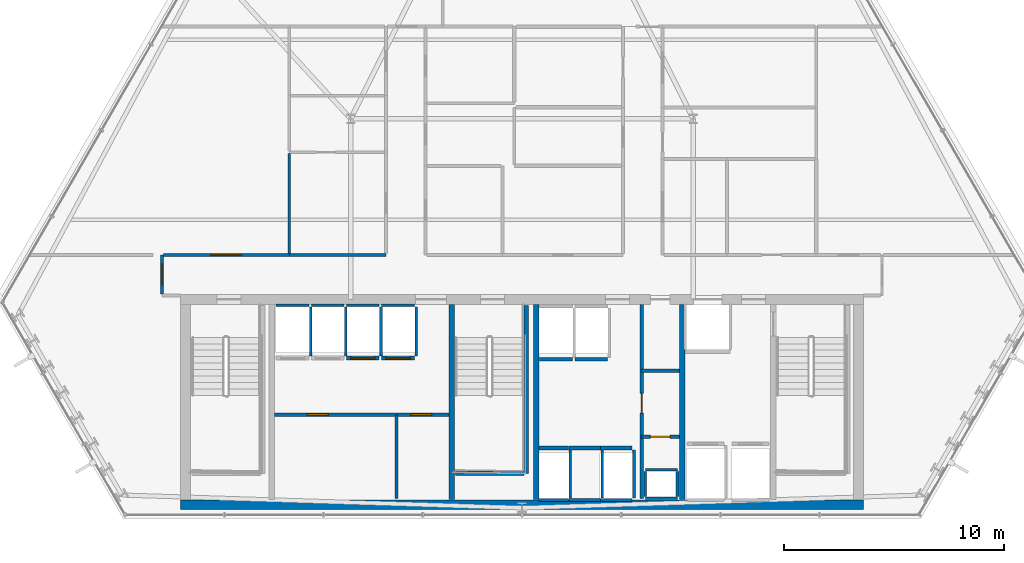
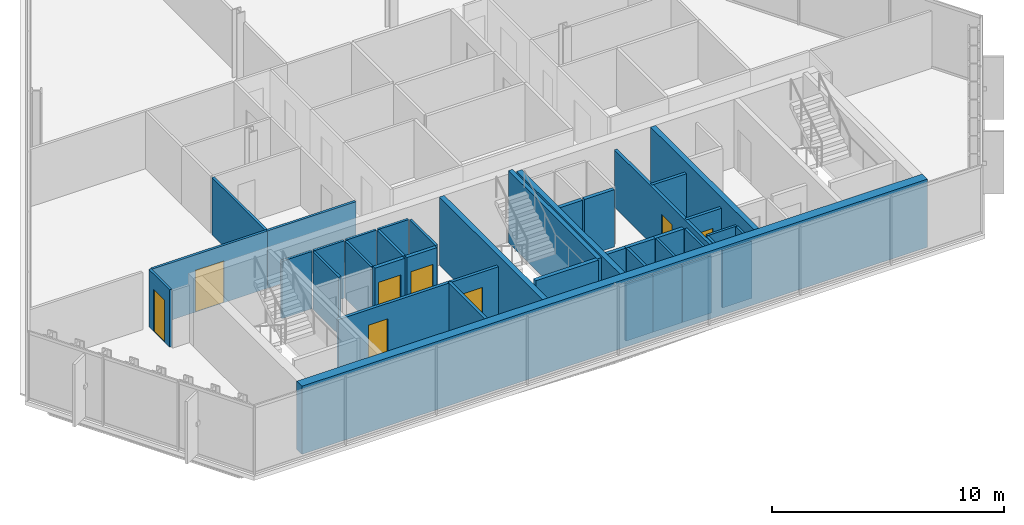
# One storey, part 26 of 33: 40 walls, 8 doors, 8 openings.
"""IFC4 building model written with IfcOpenShell, lengths in metres."""

import ifcopenshell
import ifcopenshell.guid

model = None  # the IFC model being written
_history = None  # IfcOwnerHistory: only IFC2X3 demands one
_inside = {}  # id of a spatial element -> (the spatial element, [elements in it])
_under = {}  # id of a project, library or spatial element -> (it, [spatial elements below it])
_declared = {}  # id of a project -> (the project, [libraries it declares])
_typed = {}  # id of a type object -> (the type object, [elements of that type])
_made_of = {}  # id of a material, layer set ... -> (it, [elements and type objects made of it])


def new_model(schema):
    """Start an empty IFC model of exactly this schema.

    Asked for "IFC4X3", IfcOpenShell would pick the latest addendum, in which some entities
    have other attributes; the version numbers below select the first issue.
    IFC2X3 requires an IfcOwnerHistory on every rooted entity: one is made here for all.
    """
    global model, _history
    if schema == "IFC4X3":
        model = ifcopenshell.file(schema_version=(4, 3, 0, 0))
    else:
        model = ifcopenshell.file(schema=schema)
    _inside.clear()
    _under.clear()
    _declared.clear()
    _typed.clear()
    _made_of.clear()
    _history = None
    if model.schema == "IFC2X3":
        org = make("IfcOrganization", Name="unknown")
        user = make(
            "IfcPersonAndOrganization",
            ThePerson=make("IfcPerson", FamilyName="unknown"),
            TheOrganization=org,
        )
        app = make(
            "IfcApplication",
            ApplicationDeveloper=org,
            Version="unknown",
            ApplicationFullName="unknown",
            ApplicationIdentifier="unknown",
        )
        _history = make(
            "IfcOwnerHistory",
            OwningUser=user,
            OwningApplication=app,
            ChangeAction="ADDED",
            CreationDate=0,
        )
    return model


def make(cls, **values):
    """One entity of the class cls with the attributes given. An attribute that is None is left unset."""
    return model.create_entity(
        cls, **{name: value for name, value in values.items() if value is not None}
    )


def rooted(cls, **values):
    """An entity with a GlobalId (a new one), such as an element, a storey or a relation."""
    return make(cls, GlobalId=ifcopenshell.guid.new(), OwnerHistory=_history, **values)


def si_unit(unit_type, name, prefix=None):
    """IfcSIUnit, for example si_unit("LENGTHUNIT", "METRE", prefix="MILLI")."""
    return make("IfcSIUnit", UnitType=unit_type, Prefix=prefix, Name=name)


def assignment(units):
    """IfcUnitAssignment: the units of a project."""
    return None if units is None else make("IfcUnitAssignment", Units=units)


def point(xyz):
    """IfcCartesianPoint."""
    return None if xyz is None else make("IfcCartesianPoint", Coordinates=xyz)


def direction(xyz):
    """IfcDirection."""
    return None if xyz is None else make("IfcDirection", DirectionRatios=xyz)


def frame(location, z_axis=None, x_axis=None):
    """IfcAxis2Placement3D, a coordinate frame: its origin and axes. An axis left out is left unset."""
    return make(
        "IfcAxis2Placement3D",
        Location=point(location),
        Axis=direction(z_axis),
        RefDirection=direction(x_axis),
    )


def frame_2d(location, x_axis=None):
    """IfcAxis2Placement2D, a coordinate frame in the plane: its origin and x axis."""
    return make(
        "IfcAxis2Placement2D", Location=point(location), RefDirection=direction(x_axis)
    )


def origin():
    """The frame at (0, 0, 0) with its axes left unset."""
    return frame((0.0, 0.0, 0.0))


def place(relative_to, where):
    """IfcLocalPlacement: puts the frame where relative to a parent placement (None: the world)."""
    return make(
        "IfcLocalPlacement", PlacementRelTo=relative_to, RelativePlacement=where
    )


def context(
    kind, dimensions, precision=None, world=None, true_north=None, identifier=None
):
    """IfcGeometricRepresentationContext, for example the 3D "Model" context."""
    return make(
        "IfcGeometricRepresentationContext",
        ContextIdentifier=identifier,
        ContextType=kind,
        CoordinateSpaceDimension=dimensions,
        Precision=precision,
        WorldCoordinateSystem=world,
        TrueNorth=true_north,
    )


def subcontext(parent, identifier, kind, view, scale=None):
    """IfcGeometricRepresentationSubContext, for example "Body" below "Model"."""
    return make(
        "IfcGeometricRepresentationSubContext",
        ContextIdentifier=identifier,
        ContextType=kind,
        ParentContext=parent,
        TargetScale=scale,
        TargetView=view,
    )


def project(units=None, contexts=None):
    """IfcProject with its units and contexts."""
    return rooted(
        "IfcProject",
        Name="project",
        RepresentationContexts=contexts,
        UnitsInContext=assignment(units),
    )


def spatial(cls, under=None, at=None, **own):
    """A site, building, storey or space (cls), placed at a placement, below another one or the project."""
    s = rooted(cls, ObjectPlacement=at, **own)
    if under is not None:
        _under.setdefault(under.id(), (under, []))[1].append(s)
    return s


def profile(cls, at=None, kind="AREA", **sizes):
    """A parametric profile (cls). Its sizes go by their IFC names, for example OverallWidth=200.0."""
    return make(cls, ProfileType=kind, Position=at, **sizes)


def rectangle(**sizes):
    """IfcRectangleProfileDef."""
    return profile("IfcRectangleProfileDef", **sizes)


def extrude(swept, where, along, depth):
    """IfcExtrudedAreaSolid: the profile swept, set in the frame where, extruded along a direction by depth."""
    return make(
        "IfcExtrudedAreaSolid",
        SweptArea=swept,
        Position=where,
        ExtrudedDirection=direction(along),
        Depth=depth,
    )


def shape(context_of_items, identifier, shape_type, items):
    """IfcShapeRepresentation: the items that make up one representation, for example the "Body"."""
    return make(
        "IfcShapeRepresentation",
        ContextOfItems=context_of_items,
        RepresentationIdentifier=identifier,
        RepresentationType=shape_type,
        Items=items,
    )


def material(Name=None, Category=None):
    """IfcMaterial."""
    return make("IfcMaterial", Name=Name, Category=Category)


def layer(
    of_material, thickness, ventilated=None, Name=None, Category=None, Priority=None
):
    """IfcMaterialLayer: one layer of a wall or slab, of a material (None: an air gap)."""
    return make(
        "IfcMaterialLayer",
        Material=of_material,
        LayerThickness=thickness,
        IsVentilated=ventilated,
        Name=Name,
        Category=Category,
        Priority=Priority,
    )


def layer_set(layers, Name=None):
    """IfcMaterialLayerSet."""
    return make("IfcMaterialLayerSet", MaterialLayers=layers, LayerSetName=Name)


def made_of(thing, what):
    """Note that an element or type object is made of a material, layer set ...; save() writes the relation."""
    if what is not None:
        _made_of.setdefault(what.id(), (what, []))[1].append(thing)
    return thing


def type_object(cls, material=None, **own):
    """A type object (cls), such as IfcWallType, which elements share."""
    return made_of(rooted(cls, **own), material)


def element(
    cls,
    number,
    at=None,
    inside=None,
    cuts=None,
    type_object=None,
    material=None,
    context=None,
    identifier="Body",
    shape_type=None,
    held_by="IfcProductDefinitionShape",
    body=None,
    shapes=None,
    **own,
):
    """One element of the class cls, such as IfcWall. Its Tag is "e" and its number.

    at: its placement. inside: the storey or other place that contains it. cuts: it is an
    opening in that element (IfcRelVoidsElement). A single representation is given by context,
    identifier, shape_type and body (its items); several are given by shapes. held_by: the class
    of the entity that holds the representations. save() writes the other relations.
    """
    e = rooted(cls, Tag="e%d" % number, ObjectPlacement=at, **own)
    if body is not None:
        shapes = [shape(context, identifier, shape_type, body)]
    if shapes is not None:
        e.Representation = make(held_by, Representations=shapes)
    if inside is not None:
        _inside.setdefault(inside.id(), (inside, []))[1].append(e)
    if cuts is not None:
        rooted(
            "IfcRelVoidsElement", RelatingBuildingElement=cuts, RelatedOpeningElement=e
        )
    if type_object is not None:
        _typed.setdefault(type_object.id(), (type_object, []))[1].append(e)
    return made_of(e, material)


def fill(opening, filler):
    """IfcRelFillsElement: the door or window that sits in an opening."""
    return rooted(
        "IfcRelFillsElement",
        RelatingOpeningElement=opening,
        RelatedBuildingElement=filler,
    )


def aggregate(whole, parts):
    """IfcRelAggregates: a whole, such as a stair, and the parts it consists of."""
    return rooted("IfcRelAggregates", RelatingObject=whole, RelatedObjects=parts)


def save(model, path):
    """Write the relations noted so far, then the file.

    IfcRelAggregates (storeys below a building ...), IfcRelContainedInSpatialStructure (elements
    in a storey), IfcRelDefinesByType, IfcRelAssociatesMaterial and IfcRelDeclares: one each for
    every whole, place, type object, material and project.
    """
    for whole, parts in _under.values():
        aggregate(whole, parts)
    for where, things in _inside.values():
        rooted(
            "IfcRelContainedInSpatialStructure",
            RelatedElements=things,
            RelatingStructure=where,
        )
    for kind, things in _typed.values():
        rooted("IfcRelDefinesByType", RelatedObjects=things, RelatingType=kind)
    for what, things in _made_of.values():
        rooted("IfcRelAssociatesMaterial", RelatedObjects=things, RelatingMaterial=what)
    for by, libraries in _declared.values():
        rooted("IfcRelDeclares", RelatingContext=by, RelatedDefinitions=libraries)
    model.write(path)


model = new_model("IFC4")

# Units and contexts
model_context = context("Model", 3, precision=1e-05, world=origin(), true_north=direction((0.0, 1.0)))
body_context = subcontext(model_context, "Body", "Model", "MODEL_VIEW")
ifc_project = project(units=[si_unit("LENGTHUNIT", "METRE"), si_unit("AREAUNIT", "SQUARE_METRE"), si_unit("VOLUMEUNIT", "CUBIC_METRE"), si_unit("PLANEANGLEUNIT", "RADIAN"), si_unit("MASSUNIT", "GRAM", prefix="KILO")], contexts=[model_context])

# Site, building, storey
site_placement = place(None, origin())
site = spatial("IfcSite", under=ifc_project, at=site_placement, CompositionType="ELEMENT")
building_placement = place(site_placement, origin())
building = spatial("IfcBuilding", under=site, at=building_placement, Name="Ndaravel Arena Tower", CompositionType="ELEMENT")
storey_placement = place(building_placement, frame((0.0, 0.0, 149.800048828125)))
storey = spatial("IfcBuildingStorey", under=building, at=storey_placement, Name="L35", CompositionType="ELEMENT", Elevation=149.800048828125)

# Wall, opening, door
ifc_material_1 = material(Name="Gypsum", Category="gypsum")
ifc_layer_1 = layer(ifc_material_1, 0.14990234375)
ifc_layer_set_1 = layer_set([ifc_layer_1], Name="Gypsum")
wall_type_1 = type_object("IfcWallType", Name="WALL-COMP-150", PredefinedType="PARTITIONING", material=ifc_layer_set_1)
wall_1_placement = place(storey_placement, frame((47.449951171875, 5.89990234375, 0.0), z_axis=(0.0, 0.0, 1.0), x_axis=(0.0, 1.0, 0.0)))
wall_1 = element("IfcWall", 1, at=wall_1_placement, inside=storey, type_object=wall_type_1, Name="L35 Core Riser Bay Partition", PredefinedType="PARTITIONING", context=body_context, shape_type="SweptSolid", body=[
    extrude(rectangle(XDim=8.85009765625, YDim=0.14990234375, at=frame_2d((4.425048828125, 0.0))), origin(), (0.0, 0.0, 1.0), 3.010498046875),
])
opening_1_placement = place(wall_1_placement, frame((3.89990234375, 0.0, 0.0)))
opening_1 = element("IfcOpeningElement", 2, at=opening_1_placement, cuts=wall_1, Name="Opening RD-01", PredefinedType="OPENING", context=body_context, shape_type="SweptSolid", body=[
    extrude(rectangle(XDim=0.89990234375, YDim=2.10009765625, at=frame_2d((0.449951171875, 1.050048828125))), frame((0.0, 0.074951171875, 0.0), z_axis=(0.0, -1.0, 0.0), x_axis=(1.0, 0.0, 0.0)), (0.0, 0.0, 1.0), 0.14990234375),
])
ifc_material_2 = material(Name="Steel S355", Category="steel")
door_type_1 = type_object("IfcDoorType", Name="DT-08-RISER-900", OperationType="SINGLE_SWING_LEFT", PredefinedType="DOOR", material=ifc_material_2)
door_1_placement = place(opening_1_placement, origin())
door_1 = element("IfcDoor", 3, at=door_1_placement, inside=storey, type_object=door_type_1, Name="L35 Plumbing Riser Door", OperationType="SINGLE_SWING_LEFT", OverallHeight=2.10009765625, OverallWidth=0.89990234375, PredefinedType="DOOR", context=body_context, shape_type="SweptSolid", body=[
    extrude(rectangle(XDim=0.89990234375, YDim=2.10009765625, at=frame_2d((0.449951171875, 1.050048828125))), frame((0.0, 0.02490234375, 0.0), z_axis=(0.0, -1.0, 0.0), x_axis=(1.0, 0.0, 0.0)), (0.0, 0.0, 1.0), 0.050048828125),
])
fill(opening_1, door_1)

wall_2_placement = place(storey_placement, frame((47.449951171875, 8.719970703125, 0.0), z_axis=(0.0, 0.0, 1.0), x_axis=(1.0, 0.0, 0.0)))
wall_2 = element("IfcWall", 4, at=wall_2_placement, inside=storey, type_object=wall_type_1, Name="L35 Core Riser Divider 1", PredefinedType="PARTITIONING", context=body_context, shape_type="SweptSolid", body=[
    extrude(rectangle(XDim=1.72998046875, YDim=0.14990234375, at=frame_2d((0.864990234375, 0.0))), origin(), (0.0, 0.0, 1.0), 3.010498046875),
])
opening_2_placement = place(wall_2_placement, frame((0.39990234375, 0.0, 0.0)))
opening_2 = element("IfcOpeningElement", 5, at=opening_2_placement, cuts=wall_2, Name="Opening RD-01", PredefinedType="OPENING", context=body_context, shape_type="SweptSolid", body=[
    extrude(rectangle(XDim=0.89990234375, YDim=2.10009765625, at=frame_2d((0.449951171875, 1.050048828125))), frame((0.0, 0.074951171875, 0.0), z_axis=(0.0, -1.0, 0.0), x_axis=(1.0, 0.0, 0.0)), (0.0, 0.0, 1.0), 0.14990234375),
])
door_2_placement = place(opening_2_placement, origin())
door_2 = element("IfcDoor", 6, at=door_2_placement, inside=storey, type_object=door_type_1, Name="L35 Low-Voltage Riser Door", OperationType="SINGLE_SWING_RIGHT", OverallHeight=2.10009765625, OverallWidth=0.89990234375, PredefinedType="DOOR", context=body_context, shape_type="SweptSolid", body=[
    extrude(rectangle(XDim=0.89990234375, YDim=2.10009765625, at=frame_2d((0.449951171875, 1.050048828125))), frame((0.0, 0.02490234375, 0.0), z_axis=(0.0, -1.0, 0.0), x_axis=(1.0, 0.0, 0.0)), (0.0, 0.0, 1.0), 0.050048828125),
])
fill(opening_2, door_2)

# Wall
wall_3_placement = place(storey_placement, frame((47.449951171875, 11.719970703125, 0.0), z_axis=(0.0, 0.0, 1.0), x_axis=(1.0, 0.0, 0.0)))
element("IfcWall", 7, at=wall_3_placement, inside=storey, type_object=wall_type_1, Name="L35 Core Riser Divider 2", PredefinedType="PARTITIONING", context=body_context, shape_type="SweptSolid", body=[
    extrude(rectangle(XDim=1.72998046875, YDim=0.14990234375, at=frame_2d((0.864990234375, 0.0))), origin(), (0.0, 0.0, 1.0), 3.010498046875),
])

# Wall, openings, doors
wall_4_placement = place(storey_placement, frame((30.719970703125, 9.719970703125, 0.0), z_axis=(0.0, 0.0, 1.0), x_axis=(1.0, 0.0, 0.0)))
wall_4 = element("IfcWall", 8, at=wall_4_placement, inside=storey, type_object=wall_type_1, Name="L35 Reclaimed Shaft Partition", PredefinedType="PARTITIONING", context=body_context, shape_type="SweptSolid", body=[
    extrude(rectangle(XDim=7.9599609375, YDim=0.14990234375, at=frame_2d((3.97998046875, 0.0))), origin(), (0.0, 0.0, 1.0), 3.010498046875),
])
opening_3_placement = place(wall_4_placement, frame((1.5, 0.0, 0.0)))
opening_3 = element("IfcOpeningElement", 9, at=opening_3_placement, cuts=wall_4, Name="Opening FD-03", PredefinedType="OPENING", context=body_context, shape_type="SweptSolid", body=[
    extrude(rectangle(XDim=0.949951171875, YDim=2.199951171875, at=frame_2d((0.47509765625, 1.10009765625))), frame((0.0, 0.074951171875, 0.0), z_axis=(0.0, -1.0, 0.0), x_axis=(1.0, 0.0, 0.0)), (0.0, 0.0, 1.0), 0.14990234375),
])
opening_4_placement = place(wall_4_placement, frame((6.2099609375, 0.0, 0.0)))
opening_4 = element("IfcOpeningElement", 10, at=opening_4_placement, cuts=wall_4, Name="Opening FD-03", PredefinedType="OPENING", context=body_context, shape_type="SweptSolid", body=[
    extrude(rectangle(XDim=0.949951171875, YDim=2.199951171875, at=frame_2d((0.47509765625, 1.10009765625))), frame((0.0, 0.074951171875, 0.0), z_axis=(0.0, -1.0, 0.0), x_axis=(1.0, 0.0, 0.0)), (0.0, 0.0, 1.0), 0.14990234375),
])
ifc_material_3 = material(Name="Steel S355", Category="steel")
door_type_2 = type_object("IfcDoorType", Name="DT-11-CORE-950", OperationType="SINGLE_SWING_LEFT", PredefinedType="DOOR", material=ifc_material_3)
door_3_placement = place(opening_3_placement, origin())
door_3 = element("IfcDoor", 11, at=door_3_placement, inside=storey, type_object=door_type_2, Name="L35 ICT Server Room Door", OperationType="SINGLE_SWING_LEFT", OverallHeight=2.199951171875, OverallWidth=0.949951171875, PredefinedType="DOOR", context=body_context, shape_type="SweptSolid", body=[
    extrude(rectangle(XDim=0.949951171875, YDim=2.199951171875, at=frame_2d((0.47509765625, 1.10009765625))), frame((0.0, 0.02490234375, 0.0), z_axis=(0.0, -1.0, 0.0), x_axis=(1.0, 0.0, 0.0)), (0.0, 0.0, 1.0), 0.050048828125),
])
fill(opening_3, door_3)
door_4_placement = place(opening_4_placement, origin())
door_4 = element("IfcDoor", 12, at=door_4_placement, inside=storey, type_object=door_type_2, Name="L35 Core Archive Room Door", OperationType="SINGLE_SWING_RIGHT", OverallHeight=2.199951171875, OverallWidth=0.949951171875, PredefinedType="DOOR", context=body_context, shape_type="SweptSolid", body=[
    extrude(rectangle(XDim=0.949951171875, YDim=2.199951171875, at=frame_2d((0.47509765625, 1.10009765625))), frame((0.0, 0.02490234375, 0.0), z_axis=(0.0, -1.0, 0.0), x_axis=(1.0, 0.0, 0.0)), (0.0, 0.0, 1.0), 0.050048828125),
])
fill(opening_4, door_4)

# Walls
wall_5_placement = place(storey_placement, frame((36.280029296875, 5.89990234375, 0.0), z_axis=(0.0, 0.0, 1.0), x_axis=(0.0, 1.0, 0.0)))
element("IfcWall", 13, at=wall_5_placement, inside=storey, type_object=wall_type_1, Name="L35 Reclaimed Bay Divider", PredefinedType="PARTITIONING", context=body_context, shape_type="SweptSolid", body=[
    extrude(rectangle(XDim=3.820068359375, YDim=0.14990234375, at=frame_2d((1.91015625, 0.0))), origin(), (0.0, 0.0, 1.0), 3.010498046875),
])
ifc_material_4 = material(Name="Concrete C60/75", Category="concrete")
ifc_layer_2 = layer(ifc_material_4, 0.25)
ifc_layer_set_2 = layer_set([ifc_layer_2], Name="Concrete C60/75")
wall_type_2 = type_object("IfcWallType", Name="WALL-CORE-250", PredefinedType="SOLIDWALL", material=ifc_layer_set_2)
for number, where, z_axis, x_axis, name in (
    (14, (38.800048828125, 5.85009765625, 0.0), (0.0, 0.0, 1.0), (0.0, 1.0, 0.0), "L35 Core Web Shear Wall 2"),
    (15, (42.64990234375, 5.85009765625, 0.0), (0.0, 0.0, 1.0), (0.0, 1.0, 0.0), "L35 Core Web Shear Wall 3"),
    (16, (49.300048828125, 5.85009765625, 0.0), (0.0, 0.0, 1.0), (0.0, 1.0, 0.0), "L35 Core Web Shear Wall 4"),
):
    element("IfcWall", number, at=place(storey_placement, frame(where, z_axis=z_axis, x_axis=x_axis)), inside=storey, type_object=wall_type_2, Name=name, PredefinedType="SOLIDWALL", context=body_context, shape_type="SweptSolid", body=[
        extrude(rectangle(XDim=8.89990234375, YDim=0.25, at=frame_2d((4.449951171875, 0.0))), origin(), (0.0, 0.0, 1.0), 3.579833984375),
    ])
ifc_material_5 = material(Name="Concrete C60/75", Category="concrete")
ifc_layer_3 = layer(ifc_material_5, 0.449951171875)
ifc_layer_set_3 = layer_set([ifc_layer_3], Name="Concrete C60/75")
wall_type_3 = type_object("IfcWallType", Name="WALL-CORE-450", PredefinedType="SOLIDWALL", material=ifc_layer_set_3)
wall_6_placement = place(storey_placement, frame((26.449951171875, 5.625, 0.0), z_axis=(0.0, 0.0, 1.0), x_axis=(1.0, 0.0, 0.0)))
element("IfcWall", 17, at=wall_6_placement, inside=storey, type_object=wall_type_3, Name="L35 Core South Shear Wall", PredefinedType="SOLIDWALL", context=body_context, shape_type="SweptSolid", body=[
    extrude(rectangle(XDim=31.10009765625, YDim=0.449951171875, at=frame_2d((15.550048828125, 0.0))), origin(), (0.0, 0.0, 1.0), 3.579833984375),
])

# Wall, opening, door
ifc_material_6 = material(Name="Gypsum", Category="gypsum")
ifc_layer_4 = layer(ifc_material_6, 0.125)
ifc_layer_set_4 = layer_set([ifc_layer_4], Name="Gypsum")
wall_type_4 = type_object("IfcWallType", Name="WALL-PART-125", PredefinedType="PARTITIONING", material=ifc_layer_set_4)
wall_7_placement = place(storey_placement, frame((25.60009765625, 15.215087890625, 0.0), z_axis=(0.0, 0.0, 1.0), x_axis=(0.0, 1.0, 0.0)))
wall_7 = element("IfcWall", 18, at=wall_7_placement, inside=storey, type_object=wall_type_4, Name="L35 Interior Partition 004", PredefinedType="PARTITIONING", context=body_context, shape_type="SweptSolid", body=[
    extrude(rectangle(XDim=1.784912109375, YDim=0.125, at=frame_2d((0.892578125, 0.0))), origin(), (0.0, 0.0, 1.0), 3.010498046875),
])
opening_5_placement = place(wall_7_placement, frame((0.41748046875, 0.0, 0.0)))
opening_5 = element("IfcOpeningElement", 19, at=opening_5_placement, cuts=wall_7, Name="Opening ID-01", PredefinedType="OPENING", context=body_context, shape_type="SweptSolid", body=[
    extrude(rectangle(XDim=0.949951171875, YDim=2.199951171875, at=frame_2d((0.47509765625, 1.10009765625))), frame((0.0, 0.0625, 0.0), z_axis=(0.0, -1.0, 0.0), x_axis=(1.0, 0.0, 0.0)), (0.0, 0.0, 1.0), 0.125),
])
ifc_material_7 = material(Name="Timber", Category="wood")
door_type_3 = type_object("IfcDoorType", Name="DT-03-OFFICE-950", OperationType="SINGLE_SWING_LEFT", PredefinedType="DOOR", material=ifc_material_7)
door_5_placement = place(opening_5_placement, origin())
door_5 = element("IfcDoor", 20, at=door_5_placement, inside=storey, type_object=door_type_3, Name="L35 Executive Boardroom Door", OperationType="SINGLE_SWING_RIGHT", OverallHeight=2.199951171875, OverallWidth=0.949951171875, PredefinedType="DOOR", context=body_context, shape_type="SweptSolid", body=[
    extrude(rectangle(XDim=0.949951171875, YDim=2.199951171875, at=frame_2d((0.47509765625, 1.10009765625))), frame((0.0, 0.02490234375, 0.0), z_axis=(0.0, -1.0, 0.0), x_axis=(1.0, 0.0, 0.0)), (0.0, 0.0, 1.0), 0.050048828125),
])
fill(opening_5, door_5)

wall_8_placement = place(storey_placement, frame((25.6650390625, 17.0, 0.0), z_axis=(0.0, 0.0, 1.0), x_axis=(1.0, 0.0, 0.0)))
wall_8 = element("IfcWall", 21, at=wall_8_placement, inside=storey, type_object=wall_type_4, Name="L35 Interior Partition 005", PredefinedType="PARTITIONING", context=body_context, shape_type="SweptSolid", body=[
    extrude(rectangle(XDim=5.73486328125, YDim=0.125, at=frame_2d((2.867431640625, 0.0))), origin(), (0.0, 0.0, 1.0), 3.010498046875),
])
opening_6_placement = place(wall_8_placement, frame((2.16748046875, 0.0, 0.0)))
opening_6 = element("IfcOpeningElement", 22, at=opening_6_placement, cuts=wall_8, Name="Opening ID-02", PredefinedType="OPENING", context=body_context, shape_type="SweptSolid", body=[
    extrude(rectangle(XDim=1.39990234375, YDim=2.199951171875, at=frame_2d((0.699951171875, 1.10009765625))), frame((0.0, 0.0625, 0.0), z_axis=(0.0, -1.0, 0.0), x_axis=(1.0, 0.0, 0.0)), (0.0, 0.0, 1.0), 0.125),
])
ifc_material_8 = material(Name="Timber", Category="wood")
door_type_4 = type_object("IfcDoorType", Name="DT-04-SUITE-1400", OperationType="DOUBLE_DOOR_SINGLE_SWING", PredefinedType="DOOR", material=ifc_material_8)
door_6_placement = place(opening_6_placement, origin())
door_6 = element("IfcDoor", 23, at=door_6_placement, inside=storey, type_object=door_type_4, Name="L35 Tenant Reception Suite 3 Door", OperationType="SINGLE_SWING_RIGHT", OverallHeight=2.199951171875, OverallWidth=1.39990234375, PredefinedType="DOOR", context=body_context, shape_type="SweptSolid", body=[
    extrude(rectangle(XDim=1.39990234375, YDim=2.199951171875, at=frame_2d((0.699951171875, 1.10009765625))), frame((0.0, 0.02490234375, 0.0), z_axis=(0.0, -1.0, 0.0), x_axis=(1.0, 0.0, 0.0)), (0.0, 0.0, 1.0), 0.050048828125),
])
fill(opening_6, door_6)

# Walls
wall_9_placement = place(storey_placement, frame((31.39990234375, 17.0, 0.0), z_axis=(0.0, 0.0, 1.0), x_axis=(1.0, 0.0, 0.0)))
element("IfcWall", 24, at=wall_9_placement, inside=storey, type_object=wall_type_4, Name="L35 Interior Partition 006", PredefinedType="PARTITIONING", context=body_context, shape_type="SweptSolid", body=[
    extrude(rectangle(XDim=4.400146484375, YDim=0.125, at=frame_2d((2.2001953125, 0.0))), origin(), (0.0, 0.0, 1.0), 3.010498046875),
])
wall_10_placement = place(storey_placement, frame((31.39990234375, 17.06494140625, 0.0), z_axis=(0.0, 0.0, 1.0), x_axis=(0.0, 1.0, 0.0)))
element("IfcWall", 25, at=wall_10_placement, inside=storey, type_object=wall_type_4, Name="L35 Interior Partition 036", PredefinedType="PARTITIONING", context=body_context, shape_type="SweptSolid", body=[
    extrude(rectangle(XDim=4.550048828125, YDim=0.125, at=frame_2d((2.27490234375, 0.0))), origin(), (0.0, 0.0, 1.0), 3.010498046875),
])
ifc_material_9 = material(Name="Concrete C40/50", Category="concrete")
ifc_layer_5 = layer(ifc_material_9, 0.1201171875)
ifc_layer_set_5 = layer_set([ifc_layer_5], Name="Concrete C40/50")
wall_type_5 = type_object("IfcWallType", Name="WALL-SHAFT-120", PredefinedType="SOLIDWALL", material=ifc_layer_set_5)
for number, where, z_axis, x_axis, name in (
    (26, (47.6201171875, 5.919921875, 0.0), (0.0, 0.0, 1.0), (1.0, 0.0, 0.0), "L35 MEP Riser Shaft S Wall"),
    (27, (47.6201171875, 7.219970703125, 0.0), (0.0, 0.0, 1.0), (1.0, 0.0, 0.0), "L35 MEP Riser Shaft N Wall"),
):
    element("IfcWall", number, at=place(storey_placement, frame(where, z_axis=z_axis, x_axis=x_axis)), inside=storey, type_object=wall_type_5, Name=name, PredefinedType="SOLIDWALL", context=body_context, shape_type="SweptSolid", body=[
        extrude(rectangle(XDim=1.4599609375, YDim=0.1201171875, at=frame_2d((0.72998046875, 0.0))), origin(), (0.0, 0.0, 1.0), 3.010498046875),
    ])
for number, where, z_axis, x_axis, name in (
    (28, (47.6201171875, 6.0, 0.0), (0.0, 0.0, 1.0), (0.0, 1.0, 0.0), "L35 MEP Riser Shaft W Wall"),
    (29, (49.080078125, 6.0, 0.0), (0.0, 0.0, 1.0), (0.0, 1.0, 0.0), "L35 MEP Riser Shaft E Wall"),
):
    element("IfcWall", number, at=place(storey_placement, frame(where, z_axis=z_axis, x_axis=x_axis)), inside=storey, type_object=wall_type_5, Name=name, PredefinedType="SOLIDWALL", context=body_context, shape_type="SweptSolid", body=[
        extrude(rectangle(XDim=1.139892578125, YDim=0.1201171875, at=frame_2d((0.56982421875, 0.0))), origin(), (0.0, 0.0, 1.0), 3.010498046875),
    ])
wall_11_placement = place(storey_placement, frame((30.804931640625, 14.7099609375, 0.0), z_axis=(0.0, 0.0, 1.0), x_axis=(1.0, 0.0, 0.0)))
element("IfcWall", 30, at=wall_11_placement, inside=storey, type_object=wall_type_5, Name="L35 PL-M1 Shaft Rear Wall", PredefinedType="SOLIDWALL", context=body_context, shape_type="SweptSolid", body=[
    extrude(rectangle(XDim=1.489990234375, YDim=0.1201171875, at=frame_2d((0.7451171875, 0.0))), origin(), (0.0, 0.0, 1.0), 3.010498046875),
])
wall_12_placement = place(storey_placement, frame((32.375, 12.389892578125, 0.0), z_axis=(0.0, 0.0, 1.0), x_axis=(0.0, 1.0, 0.0)))
element("IfcWall", 31, at=wall_12_placement, inside=storey, type_object=wall_type_5, Name="L35 PL-M1 Shaft Side R Wall", PredefinedType="SOLIDWALL", context=body_context, shape_type="SweptSolid", body=[
    extrude(rectangle(XDim=2.230224609375, YDim=0.1201171875, at=frame_2d((1.115234375, 0.0))), origin(), (0.0, 0.0, 1.0), 3.010498046875),
])
wall_13_placement = place(storey_placement, frame((32.405029296875, 14.7099609375, 0.0), z_axis=(0.0, 0.0, 1.0), x_axis=(1.0, 0.0, 0.0)))
element("IfcWall", 32, at=wall_13_placement, inside=storey, type_object=wall_type_5, Name="L35 PL-M2 Shaft Rear Wall", PredefinedType="SOLIDWALL", context=body_context, shape_type="SweptSolid", body=[
    extrude(rectangle(XDim=1.489990234375, YDim=0.1201171875, at=frame_2d((0.7451171875, 0.0))), origin(), (0.0, 0.0, 1.0), 3.010498046875),
])
wall_14_placement = place(storey_placement, frame((33.97509765625, 12.389892578125, 0.0), z_axis=(0.0, 0.0, 1.0), x_axis=(0.0, 1.0, 0.0)))
element("IfcWall", 33, at=wall_14_placement, inside=storey, type_object=wall_type_5, Name="L35 PL-M2 Shaft Side R Wall", PredefinedType="SOLIDWALL", context=body_context, shape_type="SweptSolid", body=[
    extrude(rectangle(XDim=2.230224609375, YDim=0.1201171875, at=frame_2d((1.115234375, 0.0))), origin(), (0.0, 0.0, 1.0), 3.010498046875),
])
wall_15_placement = place(storey_placement, frame((34.0048828125, 14.7099609375, 0.0), z_axis=(0.0, 0.0, 1.0), x_axis=(1.0, 0.0, 0.0)))
element("IfcWall", 34, at=wall_15_placement, inside=storey, type_object=wall_type_5, Name="L35 PL-M3 Shaft Rear Wall", PredefinedType="SOLIDWALL", context=body_context, shape_type="SweptSolid", body=[
    extrude(rectangle(XDim=1.490234375, YDim=0.1201171875, at=frame_2d((0.7451171875, 0.0))), origin(), (0.0, 0.0, 1.0), 3.010498046875),
])
wall_16_placement = place(storey_placement, frame((35.574951171875, 12.389892578125, 0.0), z_axis=(0.0, 0.0, 1.0), x_axis=(0.0, 1.0, 0.0)))
element("IfcWall", 35, at=wall_16_placement, inside=storey, type_object=wall_type_5, Name="L35 PL-M3 Shaft Side R Wall", PredefinedType="SOLIDWALL", context=body_context, shape_type="SweptSolid", body=[
    extrude(rectangle(XDim=2.230224609375, YDim=0.1201171875, at=frame_2d((1.115234375, 0.0))), origin(), (0.0, 0.0, 1.0), 3.010498046875),
])
wall_17_placement = place(storey_placement, frame((35.60498046875, 14.7099609375, 0.0), z_axis=(0.0, 0.0, 1.0), x_axis=(1.0, 0.0, 0.0)))
element("IfcWall", 36, at=wall_17_placement, inside=storey, type_object=wall_type_5, Name="L35 PL-M4 Shaft Rear Wall", PredefinedType="SOLIDWALL", context=body_context, shape_type="SweptSolid", body=[
    extrude(rectangle(XDim=1.489990234375, YDim=0.1201171875, at=frame_2d((0.7451171875, 0.0))), origin(), (0.0, 0.0, 1.0), 3.010498046875),
])
wall_18_placement = place(storey_placement, frame((37.175048828125, 12.389892578125, 0.0), z_axis=(0.0, 0.0, 1.0), x_axis=(0.0, 1.0, 0.0)))
element("IfcWall", 37, at=wall_18_placement, inside=storey, type_object=wall_type_5, Name="L35 PL-M4 Shaft Side R Wall", PredefinedType="SOLIDWALL", context=body_context, shape_type="SweptSolid", body=[
    extrude(rectangle(XDim=2.230224609375, YDim=0.1201171875, at=frame_2d((1.115234375, 0.0))), origin(), (0.0, 0.0, 1.0), 3.010498046875),
])
wall_19_placement = place(storey_placement, frame((42.780029296875, 5.840087890625, 0.0), z_axis=(0.0, 0.0, 1.0), x_axis=(1.0, 0.0, 0.0)))
element("IfcWall", 38, at=wall_19_placement, inside=storey, type_object=wall_type_5, Name="L35 PL-H1 Shaft Rear Wall", PredefinedType="SOLIDWALL", context=body_context, shape_type="SweptSolid", body=[
    extrude(rectangle(XDim=1.340087890625, YDim=0.1201171875, at=frame_2d((0.669921875, 0.0))), origin(), (0.0, 0.0, 1.0), 3.010498046875),
])
wall_20_placement = place(storey_placement, frame((44.199951171875, 5.929931640625, 0.0), z_axis=(0.0, 0.0, 1.0), x_axis=(0.0, 1.0, 0.0)))
element("IfcWall", 39, at=wall_20_placement, inside=storey, type_object=wall_type_5, Name="L35 PL-H1 Shaft Side R Wall", PredefinedType="SOLIDWALL", context=body_context, shape_type="SweptSolid", body=[
    extrude(rectangle(XDim=2.18017578125, YDim=0.1201171875, at=frame_2d((1.090087890625, 0.0))), origin(), (0.0, 0.0, 1.0), 3.010498046875),
])
wall_21_placement = place(storey_placement, frame((44.1298828125, 5.840087890625, 0.0), z_axis=(0.0, 0.0, 1.0), x_axis=(1.0, 0.0, 0.0)))
element("IfcWall", 40, at=wall_21_placement, inside=storey, type_object=wall_type_5, Name="L35 PL-H2 Shaft Rear Wall", PredefinedType="SOLIDWALL", context=body_context, shape_type="SweptSolid", body=[
    extrude(rectangle(XDim=1.440185546875, YDim=0.1201171875, at=frame_2d((0.72021484375, 0.0))), origin(), (0.0, 0.0, 1.0), 3.010498046875),
])
wall_22_placement = place(storey_placement, frame((45.64990234375, 5.929931640625, 0.0), z_axis=(0.0, 0.0, 1.0), x_axis=(0.0, 1.0, 0.0)))
element("IfcWall", 41, at=wall_22_placement, inside=storey, type_object=wall_type_5, Name="L35 PL-H2 Shaft Side R Wall", PredefinedType="SOLIDWALL", context=body_context, shape_type="SweptSolid", body=[
    extrude(rectangle(XDim=2.18017578125, YDim=0.1201171875, at=frame_2d((1.090087890625, 0.0))), origin(), (0.0, 0.0, 1.0), 3.010498046875),
])
wall_23_placement = place(storey_placement, frame((45.580078125, 5.840087890625, 0.0), z_axis=(0.0, 0.0, 1.0), x_axis=(1.0, 0.0, 0.0)))
element("IfcWall", 42, at=wall_23_placement, inside=storey, type_object=wall_type_5, Name="L35 PL-H3 Shaft Rear Wall", PredefinedType="SOLIDWALL", context=body_context, shape_type="SweptSolid", body=[
    extrude(rectangle(XDim=1.43994140625, YDim=0.1201171875, at=frame_2d((0.719970703125, 0.0))), origin(), (0.0, 0.0, 1.0), 3.010498046875),
])
wall_24_placement = place(storey_placement, frame((47.10009765625, 5.929931640625, 0.0), z_axis=(0.0, 0.0, 1.0), x_axis=(0.0, 1.0, 0.0)))
element("IfcWall", 43, at=wall_24_placement, inside=storey, type_object=wall_type_5, Name="L35 PL-H3 Shaft Side R Wall", PredefinedType="SOLIDWALL", context=body_context, shape_type="SweptSolid", body=[
    extrude(rectangle(XDim=2.18017578125, YDim=0.1201171875, at=frame_2d((1.090087890625, 0.0))), origin(), (0.0, 0.0, 1.0), 3.010498046875),
])
ifc_material_10 = material(Name="Concrete C40/50", Category="concrete")
ifc_layer_6 = layer(ifc_material_10, 0.199951171875)
ifc_layer_set_6 = layer_set([ifc_layer_6], Name="Concrete C40/50")
wall_type_6 = type_object("IfcWallType", Name="WALL-SHAFT-200", PredefinedType="SOLIDWALL", material=ifc_layer_set_6)
wall_25_placement = place(storey_placement, frame((42.18994140625, 14.699951171875, 0.0), z_axis=(0.0, 0.0, 1.0), x_axis=(0.0, -1.0, 0.0)))
element("IfcWall", 44, at=wall_25_placement, inside=storey, type_object=wall_type_6, Name="L35 ST-2 Structural Shaft Wall Right", PredefinedType="SOLIDWALL", context=body_context, shape_type="SweptSolid", body=[
    extrude(rectangle(XDim=7.64990234375, YDim=0.199951171875, at=frame_2d((3.824951171875, 0.0))), origin(), (0.0, 0.0, 1.0), 3.800048828125),
])
wall_26_placement = place(storey_placement, frame((38.969970703125, 7.050048828125, 0.0), z_axis=(0.0, 0.0, 1.0), x_axis=(1.0, 0.0, 0.0)))
element("IfcWall", 45, at=wall_26_placement, inside=storey, type_object=wall_type_6, Name="L35 ST-2 Structural Shaft Wall Far", PredefinedType="SOLIDWALL", context=body_context, shape_type="SweptSolid", body=[
    extrude(rectangle(XDim=3.114990234375, YDim=0.199951171875, at=frame_2d((1.5576171875, 0.0))), origin(), (0.0, 0.0, 1.0), 3.800048828125),
])

# Wall, opening, door
wall_27_placement = place(storey_placement, frame((34.0048828125, 12.300048828125, 0.0), z_axis=(0.0, 0.0, 1.0), x_axis=(1.0, 0.0, 0.0)))
wall_27 = element("IfcWall", 46, at=wall_27_placement, inside=storey, type_object=wall_type_6, Name="L35 PL-M3 Shaft Landing Wall", PredefinedType="SOLIDWALL", context=body_context, shape_type="SweptSolid", body=[
    extrude(rectangle(XDim=1.490234375, YDim=0.179931640625, at=frame_2d((0.7451171875, 0.0))), origin(), (0.0, 0.0, 1.0), 3.010498046875),
])
opening_7_placement = place(wall_27_placement, frame((0.195068359375, 0.0, 0.0)))
opening_7 = element("IfcOpeningElement", 47, at=opening_7_placement, cuts=wall_27, Name="Opening LD-01", PredefinedType="OPENING", context=body_context, shape_type="SweptSolid", body=[
    extrude(rectangle(XDim=1.10009765625, YDim=2.199951171875, at=frame_2d((0.550048828125, 1.10009765625))), frame((0.0, 0.08984375, 0.0), z_axis=(0.0, -1.0, 0.0), x_axis=(1.0, 0.0, 0.0)), (0.0, 0.0, 1.0), 0.179931640625),
])
ifc_material_11 = material(Name="Steel S355", Category="steel")
door_type_5 = type_object("IfcDoorType", Name="DT-06-LIFT-1100", OperationType="SLIDING_TO_LEFT", PredefinedType="DOOR", material=ifc_material_11)
door_7_placement = place(opening_7_placement, origin())
door_7 = element("IfcDoor", 48, at=door_7_placement, inside=storey, type_object=door_type_5, Name="L35 Lift PL-M3 Sliding Landing Door", OperationType="SLIDING_TO_LEFT", OverallHeight=2.199951171875, OverallWidth=1.10009765625, PredefinedType="DOOR", context=body_context, shape_type="SweptSolid", body=[
    extrude(rectangle(XDim=1.10009765625, YDim=2.199951171875, at=frame_2d((0.550048828125, 1.10009765625))), frame((0.0, 0.02490234375, 0.0), z_axis=(0.0, -1.0, 0.0), x_axis=(1.0, 0.0, 0.0)), (0.0, 0.0, 1.0), 0.050048828125),
])
fill(opening_7, door_7)

wall_28_placement = place(storey_placement, frame((35.60498046875, 12.300048828125, 0.0), z_axis=(0.0, 0.0, 1.0), x_axis=(1.0, 0.0, 0.0)))
wall_28 = element("IfcWall", 49, at=wall_28_placement, inside=storey, type_object=wall_type_6, Name="L35 PL-M4 Shaft Landing Wall", PredefinedType="SOLIDWALL", context=body_context, shape_type="SweptSolid", body=[
    extrude(rectangle(XDim=1.489990234375, YDim=0.179931640625, at=frame_2d((0.7451171875, 0.0))), origin(), (0.0, 0.0, 1.0), 3.010498046875),
])
opening_8_placement = place(wall_28_placement, frame((0.195068359375, 0.0, 0.0)))
opening_8 = element("IfcOpeningElement", 50, at=opening_8_placement, cuts=wall_28, Name="Opening LD-01", PredefinedType="OPENING", context=body_context, shape_type="SweptSolid", body=[
    extrude(rectangle(XDim=1.10009765625, YDim=2.199951171875, at=frame_2d((0.550048828125, 1.10009765625))), frame((0.0, 0.08984375, 0.0), z_axis=(0.0, -1.0, 0.0), x_axis=(1.0, 0.0, 0.0)), (0.0, 0.0, 1.0), 0.179931640625),
])
door_8_placement = place(opening_8_placement, origin())
door_8 = element("IfcDoor", 51, at=door_8_placement, inside=storey, type_object=door_type_5, Name="L35 Lift PL-M4 Sliding Landing Door", OperationType="SLIDING_TO_LEFT", OverallHeight=2.199951171875, OverallWidth=1.10009765625, PredefinedType="DOOR", context=body_context, shape_type="SweptSolid", body=[
    extrude(rectangle(XDim=1.10009765625, YDim=2.199951171875, at=frame_2d((0.550048828125, 1.10009765625))), frame((0.0, 0.02490234375, 0.0), z_axis=(0.0, -1.0, 0.0), x_axis=(1.0, 0.0, 0.0)), (0.0, 0.0, 1.0), 0.050048828125),
])
fill(opening_8, door_8)

# Walls
wall_29_placement = place(storey_placement, frame((42.780029296875, 8.199951171875, 0.0), z_axis=(0.0, 0.0, 1.0), x_axis=(1.0, 0.0, 0.0)))
element("IfcWall", 52, at=wall_29_placement, inside=storey, type_object=wall_type_6, Name="L35 PL-H1 Shaft Landing Wall", PredefinedType="SOLIDWALL", context=body_context, shape_type="SweptSolid", body=[
    extrude(rectangle(XDim=1.340087890625, YDim=0.179931640625, at=frame_2d((0.669921875, 0.0))), origin(), (0.0, 0.0, 1.0), 3.010498046875),
])
wall_30_placement = place(storey_placement, frame((44.1298828125, 8.199951171875, 0.0), z_axis=(0.0, 0.0, 1.0), x_axis=(1.0, 0.0, 0.0)))
element("IfcWall", 53, at=wall_30_placement, inside=storey, type_object=wall_type_6, Name="L35 PL-H2 Shaft Landing Wall", PredefinedType="SOLIDWALL", context=body_context, shape_type="SweptSolid", body=[
    extrude(rectangle(XDim=1.440185546875, YDim=0.179931640625, at=frame_2d((0.72021484375, 0.0))), origin(), (0.0, 0.0, 1.0), 3.010498046875),
])
wall_31_placement = place(storey_placement, frame((45.580078125, 8.199951171875, 0.0), z_axis=(0.0, 0.0, 1.0), x_axis=(1.0, 0.0, 0.0)))
element("IfcWall", 54, at=wall_31_placement, inside=storey, type_object=wall_type_6, Name="L35 PL-H3 Shaft Landing Wall", PredefinedType="SOLIDWALL", context=body_context, shape_type="SweptSolid", body=[
    extrude(rectangle(XDim=1.43994140625, YDim=0.179931640625, at=frame_2d((0.719970703125, 0.0))), origin(), (0.0, 0.0, 1.0), 3.010498046875),
])
for number, where, z_axis, x_axis, name in (
    (55, (42.804931640625, 12.25, 0.0), (0.0, 0.0, 1.0), (1.0, 0.0, 0.0), "L35 PL-OBS1 Shaft Landing Wall"),
    (56, (44.405029296875, 12.25, 0.0), (0.0, 0.0, 1.0), (1.0, 0.0, 0.0), "L35 PL-OBS2 Shaft Landing Wall"),
):
    element("IfcWall", number, at=place(storey_placement, frame(where, z_axis=z_axis, x_axis=x_axis)), inside=storey, type_object=wall_type_6, Name=name, PredefinedType="SOLIDWALL", context=body_context, shape_type="SweptSolid", body=[
        extrude(rectangle(XDim=1.489990234375, YDim=0.179931640625, at=frame_2d((0.7451171875, 0.0))), origin(), (0.0, 0.0, 1.0), 3.010498046875),
    ])

save(model, "model.ifc")
